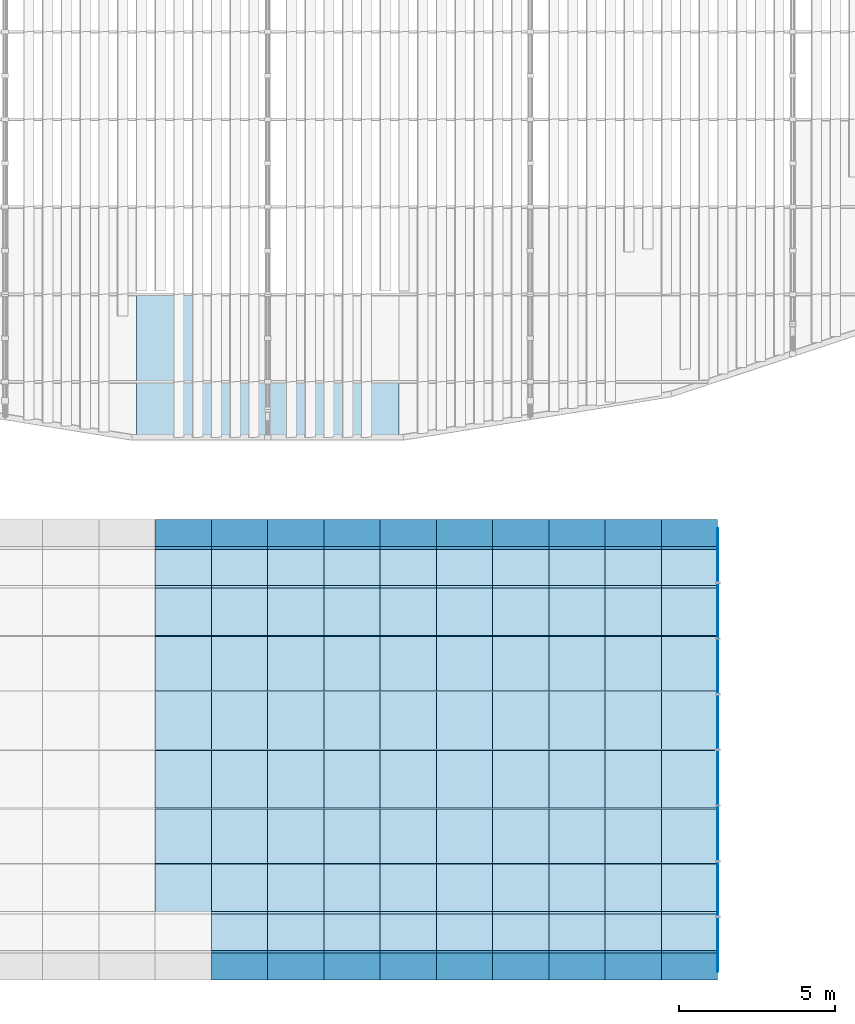
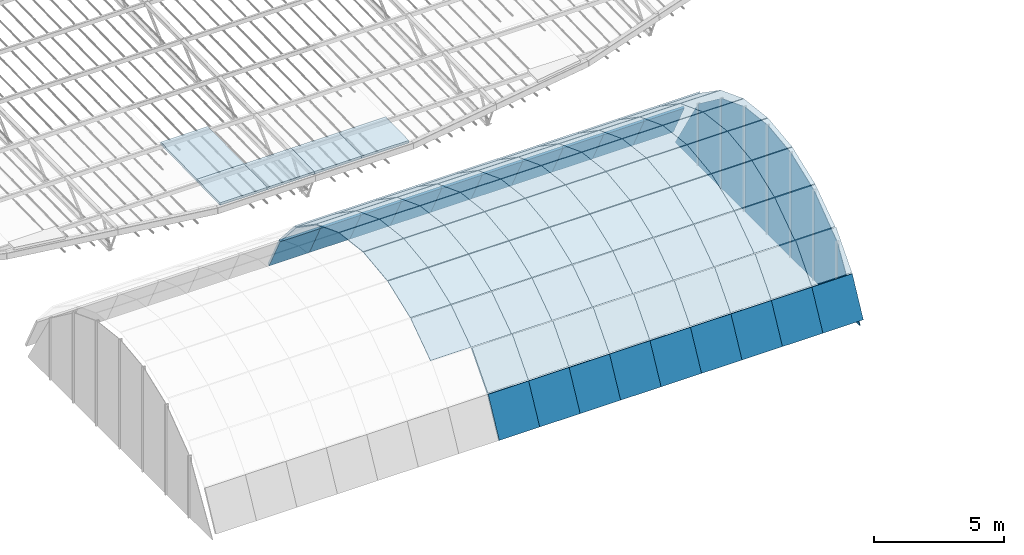
# One storey, part 70 of 129: 111 plates, 1 element without a shape of its own.
"""IFC4 building model written with IfcOpenShell, lengths in metres."""

import ifcopenshell
import ifcopenshell.guid

model = None  # the IFC model being written
_history = None  # IfcOwnerHistory: only IFC2X3 demands one
_inside = {}  # id of a spatial element -> (the spatial element, [elements in it])
_under = {}  # id of a project, library or spatial element -> (it, [spatial elements below it])
_declared = {}  # id of a project -> (the project, [libraries it declares])
_typed = {}  # id of a type object -> (the type object, [elements of that type])
_made_of = {}  # id of a material, layer set ... -> (it, [elements and type objects made of it])


def new_model(schema):
    """Start an empty IFC model of exactly this schema.

    Asked for "IFC4X3", IfcOpenShell would pick the latest addendum, in which some entities
    have other attributes; the version numbers below select the first issue.
    IFC2X3 requires an IfcOwnerHistory on every rooted entity: one is made here for all.
    """
    global model, _history
    if schema == "IFC4X3":
        model = ifcopenshell.file(schema_version=(4, 3, 0, 0))
    else:
        model = ifcopenshell.file(schema=schema)
    _inside.clear()
    _under.clear()
    _declared.clear()
    _typed.clear()
    _made_of.clear()
    _history = None
    if model.schema == "IFC2X3":
        org = make("IfcOrganization", Name="unknown")
        user = make(
            "IfcPersonAndOrganization",
            ThePerson=make("IfcPerson", FamilyName="unknown"),
            TheOrganization=org,
        )
        app = make(
            "IfcApplication",
            ApplicationDeveloper=org,
            Version="unknown",
            ApplicationFullName="unknown",
            ApplicationIdentifier="unknown",
        )
        _history = make(
            "IfcOwnerHistory",
            OwningUser=user,
            OwningApplication=app,
            ChangeAction="ADDED",
            CreationDate=0,
        )
    return model


def make(cls, **values):
    """One entity of the class cls with the attributes given. An attribute that is None is left unset."""
    return model.create_entity(
        cls, **{name: value for name, value in values.items() if value is not None}
    )


def rooted(cls, **values):
    """An entity with a GlobalId (a new one), such as an element, a storey or a relation."""
    return make(cls, GlobalId=ifcopenshell.guid.new(), OwnerHistory=_history, **values)


def si_unit(unit_type, name, prefix=None):
    """IfcSIUnit, for example si_unit("LENGTHUNIT", "METRE", prefix="MILLI")."""
    return make("IfcSIUnit", UnitType=unit_type, Prefix=prefix, Name=name)


def assignment(units):
    """IfcUnitAssignment: the units of a project."""
    return None if units is None else make("IfcUnitAssignment", Units=units)


def point(xyz):
    """IfcCartesianPoint."""
    return None if xyz is None else make("IfcCartesianPoint", Coordinates=xyz)


def direction(xyz):
    """IfcDirection."""
    return None if xyz is None else make("IfcDirection", DirectionRatios=xyz)


def frame(location, z_axis=None, x_axis=None):
    """IfcAxis2Placement3D, a coordinate frame: its origin and axes. An axis left out is left unset."""
    return make(
        "IfcAxis2Placement3D",
        Location=point(location),
        Axis=direction(z_axis),
        RefDirection=direction(x_axis),
    )


def origin():
    """The frame at (0, 0, 0) with its axes left unset."""
    return frame((0.0, 0.0, 0.0))


def place(relative_to, where):
    """IfcLocalPlacement: puts the frame where relative to a parent placement (None: the world)."""
    return make(
        "IfcLocalPlacement", PlacementRelTo=relative_to, RelativePlacement=where
    )


def context(
    kind, dimensions, precision=None, world=None, true_north=None, identifier=None
):
    """IfcGeometricRepresentationContext, for example the 3D "Model" context."""
    return make(
        "IfcGeometricRepresentationContext",
        ContextIdentifier=identifier,
        ContextType=kind,
        CoordinateSpaceDimension=dimensions,
        Precision=precision,
        WorldCoordinateSystem=world,
        TrueNorth=true_north,
    )


def subcontext(parent, identifier, kind, view, scale=None):
    """IfcGeometricRepresentationSubContext, for example "Body" below "Model"."""
    return make(
        "IfcGeometricRepresentationSubContext",
        ContextIdentifier=identifier,
        ContextType=kind,
        ParentContext=parent,
        TargetScale=scale,
        TargetView=view,
    )


def project(units=None, contexts=None):
    """IfcProject with its units and contexts."""
    return rooted(
        "IfcProject",
        Name="project",
        RepresentationContexts=contexts,
        UnitsInContext=assignment(units),
    )


def spatial(cls, under=None, at=None, **own):
    """A site, building, storey or space (cls), placed at a placement, below another one or the project."""
    s = rooted(cls, ObjectPlacement=at, **own)
    if under is not None:
        _under.setdefault(under.id(), (under, []))[1].append(s)
    return s


def polyline(points):
    """IfcPolyline through the points."""
    return make("IfcPolyline", Points=[point(p) for p in points])


def outline(outer, holes=None, kind="AREA"):
    """IfcArbitraryClosedProfileDef: a profile drawn as a closed curve; with holes, ...WithVoids."""
    if holes is None:
        return make("IfcArbitraryClosedProfileDef", ProfileType=kind, OuterCurve=outer)
    return make(
        "IfcArbitraryProfileDefWithVoids",
        ProfileType=kind,
        OuterCurve=outer,
        InnerCurves=holes,
    )


def extrude(swept, where, along, depth):
    """IfcExtrudedAreaSolid: the profile swept, set in the frame where, extruded along a direction by depth."""
    return make(
        "IfcExtrudedAreaSolid",
        SweptArea=swept,
        Position=where,
        ExtrudedDirection=direction(along),
        Depth=depth,
    )


def shape(context_of_items, identifier, shape_type, items):
    """IfcShapeRepresentation: the items that make up one representation, for example the "Body"."""
    return make(
        "IfcShapeRepresentation",
        ContextOfItems=context_of_items,
        RepresentationIdentifier=identifier,
        RepresentationType=shape_type,
        Items=items,
    )


def material(Name=None, Category=None):
    """IfcMaterial."""
    return make("IfcMaterial", Name=Name, Category=Category)


def layer(
    of_material, thickness, ventilated=None, Name=None, Category=None, Priority=None
):
    """IfcMaterialLayer: one layer of a wall or slab, of a material (None: an air gap)."""
    return make(
        "IfcMaterialLayer",
        Material=of_material,
        LayerThickness=thickness,
        IsVentilated=ventilated,
        Name=Name,
        Category=Category,
        Priority=Priority,
    )


def layer_set(layers, Name=None):
    """IfcMaterialLayerSet."""
    return make("IfcMaterialLayerSet", MaterialLayers=layers, LayerSetName=Name)


def made_of(thing, what):
    """Note that an element or type object is made of a material, layer set ...; save() writes the relation."""
    if what is not None:
        _made_of.setdefault(what.id(), (what, []))[1].append(thing)
    return thing


def type_object(cls, material=None, **own):
    """A type object (cls), such as IfcWallType, which elements share."""
    return made_of(rooted(cls, **own), material)


def element(
    cls,
    number,
    at=None,
    inside=None,
    cuts=None,
    type_object=None,
    material=None,
    context=None,
    identifier="Body",
    shape_type=None,
    held_by="IfcProductDefinitionShape",
    body=None,
    shapes=None,
    **own,
):
    """One element of the class cls, such as IfcWall. Its Tag is "e" and its number.

    at: its placement. inside: the storey or other place that contains it. cuts: it is an
    opening in that element (IfcRelVoidsElement). A single representation is given by context,
    identifier, shape_type and body (its items); several are given by shapes. held_by: the class
    of the entity that holds the representations. save() writes the other relations.
    """
    e = rooted(cls, Tag="e%d" % number, ObjectPlacement=at, **own)
    if body is not None:
        shapes = [shape(context, identifier, shape_type, body)]
    if shapes is not None:
        e.Representation = make(held_by, Representations=shapes)
    if inside is not None:
        _inside.setdefault(inside.id(), (inside, []))[1].append(e)
    if cuts is not None:
        rooted(
            "IfcRelVoidsElement", RelatingBuildingElement=cuts, RelatedOpeningElement=e
        )
    if type_object is not None:
        _typed.setdefault(type_object.id(), (type_object, []))[1].append(e)
    return made_of(e, material)


def aggregate(whole, parts):
    """IfcRelAggregates: a whole, such as a stair, and the parts it consists of."""
    return rooted("IfcRelAggregates", RelatingObject=whole, RelatedObjects=parts)


def save(model, path):
    """Write the relations noted so far, then the file.

    IfcRelAggregates (storeys below a building ...), IfcRelContainedInSpatialStructure (elements
    in a storey), IfcRelDefinesByType, IfcRelAssociatesMaterial and IfcRelDeclares: one each for
    every whole, place, type object, material and project.
    """
    for whole, parts in _under.values():
        aggregate(whole, parts)
    for where, things in _inside.values():
        rooted(
            "IfcRelContainedInSpatialStructure",
            RelatedElements=things,
            RelatingStructure=where,
        )
    for kind, things in _typed.values():
        rooted("IfcRelDefinesByType", RelatedObjects=things, RelatingType=kind)
    for what, things in _made_of.values():
        rooted("IfcRelAssociatesMaterial", RelatedObjects=things, RelatingMaterial=what)
    for by, libraries in _declared.values():
        rooted("IfcRelDeclares", RelatingContext=by, RelatedDefinitions=libraries)
    model.write(path)


model = new_model("IFC4")

# Units and contexts
model_context = context("Model", 3, precision=1e-05, world=origin(), true_north=direction((0.0, 1.0)))
body_context = subcontext(model_context, "Body", "Model", "MODEL_VIEW")
ifc_project = project(units=[si_unit("LENGTHUNIT", "METRE"), si_unit("AREAUNIT", "SQUARE_METRE"), si_unit("VOLUMEUNIT", "CUBIC_METRE"), si_unit("PLANEANGLEUNIT", "RADIAN"), si_unit("MASSUNIT", "GRAM", prefix="KILO")], contexts=[model_context])

# Site, building, storey
site_placement = place(None, origin())
site = spatial("IfcSite", under=ifc_project, at=site_placement, CompositionType="ELEMENT")
building_placement = place(site_placement, origin())
building = spatial("IfcBuilding", under=site, at=building_placement, Name="Ardhachandra Cancer Care Centre", CompositionType="ELEMENT")
storey_placement = place(building_placement, frame((0.0, 0.0, 4.5)))
storey = spatial("IfcBuildingStorey", under=building, at=storey_placement, Name="L01", CompositionType="ELEMENT", Elevation=4.5)

# Plates
ifc_material_1 = material(Name="Glass, laminated low-e insulating unit", Category="glass")
ifc_layer_1 = layer(ifc_material_1, 0.1201171875)
ifc_layer_set_1 = layer_set([ifc_layer_1], Name="Glass, laminated low-e insulating unit")
plate_type_1 = type_object("IfcPlateType", Name="Court glass cassette 120", PredefinedType="SHEET", material=ifc_layer_set_1)
plate_1_placement = place(storey_placement, frame((73.800048828125, 26.175048828125, 2.50341796875), z_axis=(0.0, -0.02005002746, 0.999798977995), x_axis=(0.0, 0.999798977995, 0.02005002746)))
element("IfcPlate", 1, at=plate_1_placement, inside=storey, type_object=plate_type_1, Name="Court glass cassette 4-10-3", PredefinedType="SHEET", context=body_context, shape_type="SweptSolid", body=[
    extrude(outline(polyline([(0.0, -2.099853515625), (2.800537109375, -2.099853515625), (2.800537109375, 0.0), (0.0, 0.0), (0.0, -2.099853515625)])), frame((0.0, 0.0, -0.1201171875)), (0.0, 0.0, 1.0), 0.1201171875),
])
plate_2_placement = place(storey_placement, frame((73.800048828125, 26.175048828125, 2.50341796875), z_axis=(0.0, -0.019902701625, 0.999801921616), x_axis=(1.0, 0.0, 0.0)))
element("IfcPlate", 2, at=plate_2_placement, inside=storey, type_object=plate_type_1, Name="Court glass cassette 4-11-3", PredefinedType="SHEET", context=body_context, shape_type="SweptSolid", body=[
    extrude(outline(polyline([(0.0, -1.778564453125), (2.099853515625, -1.778564453125), (2.099853515625, 0.0), (0.0, 0.0), (0.0, -1.778564453125)])), frame((0.0, 0.0, -0.1201171875)), (0.0, 0.0, 1.0), 0.1201171875),
])
for number, where, z_axis, x_axis, name in (
    (3, (75.89990234375, 26.175048828125, 2.50341796875), (0.0, -0.019902701625, 0.999801921616), (1.0, 0.0, 0.0), "Court glass cassette 4-11-4"),
    (4, (78.0, 26.175048828125, 2.50341796875), (0.0, -0.019902701625, 0.999801921616), (1.0, 0.0, 0.0), "Court glass cassette 5-11-1"),
):
    element("IfcPlate", number, at=place(storey_placement, frame(where, z_axis=z_axis, x_axis=x_axis)), inside=storey, type_object=plate_type_1, Name=name, PredefinedType="SHEET", context=body_context, shape_type="SweptSolid", body=[
        extrude(outline(polyline([(0.0, -1.778564453125), (2.10009765625, -1.778564453125), (2.10009765625, 0.0), (0.0, 0.0), (0.0, -1.778564453125)])), frame((0.0, 0.0, -0.1201171875)), (0.0, 0.0, 1.0), 0.1201171875),
    ])
plate_3_placement = place(storey_placement, frame((80.10009765625, 26.175048828125, 2.50341796875), z_axis=(0.0, -0.019902701625, 0.999801921616), x_axis=(1.0, 0.0, 0.0)))
element("IfcPlate", 5, at=plate_3_placement, inside=storey, type_object=plate_type_1, Name="Court glass cassette 5-11-2", PredefinedType="SHEET", context=body_context, shape_type="SweptSolid", body=[
    extrude(outline(polyline([(0.0, -1.778564453125), (2.099853515625, -1.778564453125), (2.099853515625, 0.0), (0.0, 0.0), (0.0, -1.778564453125)])), frame((0.0, 0.0, -0.1201171875)), (0.0, 0.0, 1.0), 0.1201171875),
])

# Curtain wall, plates
ifc_material_2 = material(Name="Aluminium extrusion", Category="aluminium")
ifc_layer_2 = layer(ifc_material_2, 0.14990234375)
ifc_layer_set_2 = layer_set([ifc_layer_2], Name="Aluminium extrusion")
curtain_wall_type = type_object("IfcCurtainWallType", Name="Curtain wall run", PredefinedType="NOTDEFINED", material=ifc_layer_set_2)
curtain_wall_placement = place(storey_placement, origin())
curtain_wall = element("IfcCurtainWall", 6, at=curtain_wall_placement, inside=storey, type_object=curtain_wall_type, Name="Gable glazing e", PredefinedType="NOTDEFINED")
ifc_material_3 = material(Name="Low-iron double-glazed unit")
ifc_layer_3 = layer(ifc_material_3, 0.028076171875)
ifc_layer_set_3 = layer_set([ifc_layer_3], Name="Low-iron double-glazed unit")
plate_type_2 = type_object("IfcPlateType", Name="Curtain wall glazing 28", PredefinedType="CURTAIN_PANEL", material=ifc_layer_set_3)
plate_4_placement = place(storey_placement, frame((92.39990234375, 7.302490234375, 0.550048828125), z_axis=(-1.0, 0.0, 0.0), x_axis=(0.0, 1.0, 0.0)))
plate_4 = element("IfcPlate", 7, at=plate_4_placement, type_object=plate_type_2, Name="Gable glazing e 1", PredefinedType="CURTAIN_PANEL", context=body_context, shape_type="SweptSolid", body=[
    extrude(outline(polyline([(0.0, -0.049560546875), (1.721923828125, -2.855712890625), (1.721923828125, 0.0), (0.0, 0.0), (0.0, -0.049560546875)])), frame((0.0, 0.0, -0.01416015625)), (0.0, 0.0, 1.0), 0.028076171875),
])
plate_5_placement = place(storey_placement, frame((92.39990234375, 9.08447265625, 0.550048828125), z_axis=(-1.0, 0.0, 0.0), x_axis=(0.0, 1.0, 0.0)))
plate_5 = element("IfcPlate", 8, at=plate_5_placement, type_object=plate_type_2, Name="Gable glazing e 2", PredefinedType="CURTAIN_PANEL", context=body_context, shape_type="SweptSolid", body=[
    extrude(outline(polyline([(0.0, -2.916748046875), (1.721923828125, -4.208740234375), (1.721923828125, 0.0), (0.0, 0.0), (0.0, -2.916748046875)])), frame((0.0, 0.0, -0.01416015625)), (0.0, 0.0, 1.0), 0.028076171875),
])
plate_6_placement = place(storey_placement, frame((92.39990234375, 10.8662109375, 0.550048828125), z_axis=(-1.0, 0.0, 0.0), x_axis=(0.0, 1.0, 0.0)))
plate_6 = element("IfcPlate", 9, at=plate_6_placement, type_object=plate_type_2, Name="Gable glazing e 3", PredefinedType="CURTAIN_PANEL", context=body_context, shape_type="SweptSolid", body=[
    extrude(outline(polyline([(0.0, -4.2412109375), (1.721923828125, -4.903564453125), (1.721923828125, 0.0), (0.0, 0.0), (0.0, -4.2412109375)])), frame((0.0, 0.0, -0.01416015625)), (0.0, 0.0, 1.0), 0.028076171875),
])
plate_7_placement = place(storey_placement, frame((92.39990234375, 12.648193359375, 0.550048828125), z_axis=(-1.0, 0.0, 0.0), x_axis=(0.0, 1.0, 0.0)))
plate_7 = element("IfcPlate", 10, at=plate_7_placement, type_object=plate_type_2, Name="Gable glazing e 4", PredefinedType="CURTAIN_PANEL", context=body_context, shape_type="SweptSolid", body=[
    extrude(outline(polyline([(0.0, -4.918212890625), (1.721923828125, -5.125732421875), (1.721923828125, 0.0), (0.0, 0.0), (0.0, -4.918212890625)])), frame((0.0, 0.0, -0.01416015625)), (0.0, 0.0, 1.0), 0.028076171875),
])
plate_8_placement = place(storey_placement, frame((92.39990234375, 14.429931640625, 0.550048828125), z_axis=(-1.0, 0.0, 0.0), x_axis=(0.0, 1.0, 0.0)))
plate_8 = element("IfcPlate", 11, at=plate_8_placement, type_object=plate_type_2, Name="Gable glazing e 5", PredefinedType="CURTAIN_PANEL", context=body_context, shape_type="SweptSolid", body=[
    extrude(outline(polyline([(0.0, -5.125732421875), (1.721923828125, -4.918212890625), (1.721923828125, 0.0), (0.0, 0.0), (0.0, -5.125732421875)])), frame((0.0, 0.0, -0.01416015625)), (0.0, 0.0, 1.0), 0.028076171875),
])
plate_9_placement = place(storey_placement, frame((92.39990234375, 16.2119140625, 0.550048828125), z_axis=(-1.0, 0.0, 0.0), x_axis=(0.0, 1.0, 0.0)))
plate_9 = element("IfcPlate", 12, at=plate_9_placement, type_object=plate_type_2, Name="Gable glazing e 6", PredefinedType="CURTAIN_PANEL", context=body_context, shape_type="SweptSolid", body=[
    extrude(outline(polyline([(0.0, -4.903564453125), (1.7216796875, -4.2412109375), (1.7216796875, 0.0), (0.0, 0.0), (0.0, -4.903564453125)])), frame((0.0, 0.0, -0.01416015625)), (0.0, 0.0, 1.0), 0.028076171875),
])
plate_10_placement = place(storey_placement, frame((92.39990234375, 17.99365234375, 0.550048828125), z_axis=(-1.0, 0.0, 0.0), x_axis=(0.0, 1.0, 0.0)))
plate_10 = element("IfcPlate", 13, at=plate_10_placement, type_object=plate_type_2, Name="Gable glazing e 7", PredefinedType="CURTAIN_PANEL", context=body_context, shape_type="SweptSolid", body=[
    extrude(outline(polyline([(0.0, -4.208740234375), (1.721923828125, -2.916748046875), (1.721923828125, 0.0), (0.0, 0.0), (0.0, -4.208740234375)])), frame((0.0, 0.0, -0.01416015625)), (0.0, 0.0, 1.0), 0.028076171875),
])
plate_11_placement = place(storey_placement, frame((92.39990234375, 19.775634765625, 0.550048828125), z_axis=(-1.0, 0.0, 0.0), x_axis=(0.0, 1.0, 0.0)))
plate_11 = element("IfcPlate", 14, at=plate_11_placement, type_object=plate_type_2, Name="Gable glazing e 8", PredefinedType="CURTAIN_PANEL", context=body_context, shape_type="SweptSolid", body=[
    extrude(outline(polyline([(0.0, -2.855712890625), (1.7216796875, -0.049560546875), (1.7216796875, 0.0), (0.0, 0.0), (0.0, -2.855712890625)])), frame((0.0, 0.0, -0.01416015625)), (0.0, 0.0, 1.0), 0.028076171875),
])
aggregate(curtain_wall, [plate_4, plate_5, plate_6, plate_7, plate_8, plate_9, plate_10, plate_11])

# Plates
ifc_material_4 = material(Name="Laminated heat-strengthened double-glazed unit")
ifc_layer_4 = layer(ifc_material_4, 0.035888671875)
ifc_layer_set_4 = layer_set([ifc_layer_4], Name="Laminated heat-strengthened double-glazed unit")
plate_type_3 = type_object("IfcPlateType", Name="Gridshell glazing 36", PredefinedType="SHEET", material=ifc_layer_set_4)
for number, where, z_axis, x_axis, name in (
    (15, (74.39990234375, 9.237060546875, 4.019287109375), (0.0, -0.570403184927, 0.821364843797), (1.0, 0.0, 0.0), "Glazed cell P 7.3"),
    (16, (74.39990234375, 10.78369140625, 5.09033203125), (0.0, -0.356164432165, 0.934423296617), (1.0, 0.0, 0.0), "Glazed cell P 7.4"),
    (17, (74.39990234375, 12.54248046875, 5.758056640625), (0.0, -0.121208850648, 0.992627026896), (1.0, 0.0, 0.0), "Glazed cell P 7.5"),
    (18, (74.39990234375, 14.41015625, 5.983642578125), (0.0, 0.121208850648, 0.992627026896), (1.0, 0.0, 0.0), "Glazed cell P 7.6"),
    (19, (74.39990234375, 16.27734375, 5.753173828125), (0.0, 0.356164432165, 0.934423296617), (1.0, 0.0, 0.0), "Glazed cell P 7.7"),
    (20, (74.39990234375, 18.034423828125, 5.080810546875), (0.0, 0.570403184927, 0.821364843797), (1.0, 0.0, 0.0), "Glazed cell P 7.8"),
    (21, (76.199951171875, 9.237060546875, 4.019287109375), (0.0, -0.570403184927, 0.821364843797), (1.0, 0.0, 0.0), "Glazed cell P 8.3"),
    (22, (76.199951171875, 10.78369140625, 5.09033203125), (0.0, -0.356164432165, 0.934423296617), (1.0, 0.0, 0.0), "Glazed cell P 8.4"),
    (23, (76.199951171875, 12.54248046875, 5.758056640625), (0.0, -0.121208850648, 0.992627026896), (1.0, 0.0, 0.0), "Glazed cell P 8.5"),
    (24, (76.199951171875, 14.41015625, 5.983642578125), (0.0, 0.121208850648, 0.992627026896), (1.0, 0.0, 0.0), "Glazed cell P 8.6"),
    (25, (76.199951171875, 16.27734375, 5.753173828125), (0.0, 0.356164432165, 0.934423296617), (1.0, 0.0, 0.0), "Glazed cell P 8.7"),
    (26, (76.199951171875, 18.034423828125, 5.080810546875), (0.0, 0.570403184927, 0.821364843797), (1.0, 0.0, 0.0), "Glazed cell P 8.8"),
    (27, (78.0, 9.237060546875, 4.019287109375), (0.0, -0.570403184927, 0.821364843797), (1.0, 0.0, 0.0), "Glazed cell P 9.3"),
    (28, (78.0, 10.78369140625, 5.09033203125), (0.0, -0.356164432165, 0.934423296617), (1.0, 0.0, 0.0), "Glazed cell P 9.4"),
    (29, (78.0, 12.54248046875, 5.758056640625), (0.0, -0.121208850648, 0.992627026896), (1.0, 0.0, 0.0), "Glazed cell P 9.5"),
    (30, (78.0, 14.41015625, 5.983642578125), (0.0, 0.121208850648, 0.992627026896), (1.0, 0.0, 0.0), "Glazed cell P 9.6"),
    (31, (78.0, 16.27734375, 5.753173828125), (0.0, 0.356164432165, 0.934423296617), (1.0, 0.0, 0.0), "Glazed cell P 9.7"),
    (32, (78.0, 18.034423828125, 5.080810546875), (0.0, 0.570403184927, 0.821364843797), (1.0, 0.0, 0.0), "Glazed cell P 9.8"),
    (33, (79.800048828125, 9.237060546875, 4.019287109375), (0.0, -0.570403184927, 0.821364843797), (1.0, 0.0, 0.0), "Glazed cell P 10.3"),
    (34, (79.800048828125, 10.78369140625, 5.09033203125), (0.0, -0.356164432165, 0.934423296617), (1.0, 0.0, 0.0), "Glazed cell P 10.4"),
    (35, (79.800048828125, 12.54248046875, 5.758056640625), (0.0, -0.121208850648, 0.992627026896), (1.0, 0.0, 0.0), "Glazed cell P 10.5"),
    (36, (79.800048828125, 14.41015625, 5.983642578125), (0.0, 0.121208850648, 0.992627026896), (1.0, 0.0, 0.0), "Glazed cell P 10.6"),
    (37, (79.800048828125, 16.27734375, 5.753173828125), (0.0, 0.356164432165, 0.934423296617), (1.0, 0.0, 0.0), "Glazed cell P 10.7"),
    (38, (79.800048828125, 18.034423828125, 5.080810546875), (0.0, 0.570403184927, 0.821364843797), (1.0, 0.0, 0.0), "Glazed cell P 10.8"),
):
    element("IfcPlate", number, at=place(storey_placement, frame(where, z_axis=z_axis, x_axis=x_axis)), inside=storey, type_object=plate_type_3, Name=name, PredefinedType="SHEET", context=body_context, shape_type="SweptSolid", body=[
        extrude(outline(polyline([(0.0, 0.0), (1.800048828125, 0.0), (1.800048828125, 1.861083984375), (0.0, 1.861083984375), (0.0, 0.0)])), origin(), (0.0, 0.0, 1.0), 0.035888671875),
    ])
for number, where, z_axis, x_axis, name in (
    (39, (81.60009765625, 9.237060546875, 4.019287109375), (0.0, -0.570403184927, 0.821364843797), (1.0, 0.0, 0.0), "Glazed cell P 11.3"),
    (40, (81.60009765625, 10.78369140625, 5.09033203125), (0.0, -0.356164432165, 0.934423296617), (1.0, 0.0, 0.0), "Glazed cell P 11.4"),
    (41, (81.60009765625, 12.54248046875, 5.758056640625), (0.0, -0.121208850648, 0.992627026896), (1.0, 0.0, 0.0), "Glazed cell P 11.5"),
    (42, (81.60009765625, 14.41015625, 5.983642578125), (0.0, 0.121208850648, 0.992627026896), (1.0, 0.0, 0.0), "Glazed cell P 11.6"),
    (43, (81.60009765625, 16.27734375, 5.753173828125), (0.0, 0.356164432165, 0.934423296617), (1.0, 0.0, 0.0), "Glazed cell P 11.7"),
    (44, (81.60009765625, 18.034423828125, 5.080810546875), (0.0, 0.570403184927, 0.821364843797), (1.0, 0.0, 0.0), "Glazed cell P 11.8"),
):
    element("IfcPlate", number, at=place(storey_placement, frame(where, z_axis=z_axis, x_axis=x_axis)), inside=storey, type_object=plate_type_3, Name=name, PredefinedType="SHEET", context=body_context, shape_type="SweptSolid", body=[
        extrude(outline(polyline([(0.0, 0.0), (1.7998046875, 0.0), (1.7998046875, 1.861083984375), (0.0, 1.861083984375), (0.0, 0.0)])), origin(), (0.0, 0.0, 1.0), 0.035888671875),
    ])
for number, where, z_axis, x_axis, name in (
    (45, (83.39990234375, 9.237060546875, 4.019287109375), (0.0, -0.570403184927, 0.821364843797), (1.0, 0.0, 0.0), "Glazed cell P 12.3"),
    (46, (83.39990234375, 10.78369140625, 5.09033203125), (0.0, -0.356164432165, 0.934423296617), (1.0, 0.0, 0.0), "Glazed cell P 12.4"),
    (47, (83.39990234375, 12.54248046875, 5.758056640625), (0.0, -0.121208850648, 0.992627026896), (1.0, 0.0, 0.0), "Glazed cell P 12.5"),
    (48, (83.39990234375, 14.41015625, 5.983642578125), (0.0, 0.121208850648, 0.992627026896), (1.0, 0.0, 0.0), "Glazed cell P 12.6"),
    (49, (83.39990234375, 16.27734375, 5.753173828125), (0.0, 0.356164432165, 0.934423296617), (1.0, 0.0, 0.0), "Glazed cell P 12.7"),
    (50, (83.39990234375, 18.034423828125, 5.080810546875), (0.0, 0.570403184927, 0.821364843797), (1.0, 0.0, 0.0), "Glazed cell P 12.8"),
    (51, (85.199951171875, 9.237060546875, 4.019287109375), (0.0, -0.570403184927, 0.821364843797), (1.0, 0.0, 0.0), "Glazed cell P 13.3"),
    (52, (85.199951171875, 10.78369140625, 5.09033203125), (0.0, -0.356164432165, 0.934423296617), (1.0, 0.0, 0.0), "Glazed cell P 13.4"),
    (53, (85.199951171875, 12.54248046875, 5.758056640625), (0.0, -0.121208850648, 0.992627026896), (1.0, 0.0, 0.0), "Glazed cell P 13.5"),
    (54, (85.199951171875, 14.41015625, 5.983642578125), (0.0, 0.121208850648, 0.992627026896), (1.0, 0.0, 0.0), "Glazed cell P 13.6"),
    (55, (85.199951171875, 16.27734375, 5.753173828125), (0.0, 0.356164432165, 0.934423296617), (1.0, 0.0, 0.0), "Glazed cell P 13.7"),
    (56, (85.199951171875, 18.034423828125, 5.080810546875), (0.0, 0.570403184927, 0.821364843797), (1.0, 0.0, 0.0), "Glazed cell P 13.8"),
    (57, (87.0, 9.237060546875, 4.019287109375), (0.0, -0.570403184927, 0.821364843797), (1.0, 0.0, 0.0), "Glazed cell P 14.3"),
    (58, (87.0, 10.78369140625, 5.09033203125), (0.0, -0.356164432165, 0.934423296617), (1.0, 0.0, 0.0), "Glazed cell P 14.4"),
    (59, (87.0, 12.54248046875, 5.758056640625), (0.0, -0.121208850648, 0.992627026896), (1.0, 0.0, 0.0), "Glazed cell P 14.5"),
    (60, (87.0, 14.41015625, 5.983642578125), (0.0, 0.121208850648, 0.992627026896), (1.0, 0.0, 0.0), "Glazed cell P 14.6"),
    (61, (87.0, 16.27734375, 5.753173828125), (0.0, 0.356164432165, 0.934423296617), (1.0, 0.0, 0.0), "Glazed cell P 14.7"),
    (62, (87.0, 18.034423828125, 5.080810546875), (0.0, 0.570403184927, 0.821364843797), (1.0, 0.0, 0.0), "Glazed cell P 14.8"),
    (63, (88.800048828125, 9.237060546875, 4.019287109375), (0.0, -0.570403184927, 0.821364843797), (1.0, 0.0, 0.0), "Glazed cell P 15.3"),
    (64, (88.800048828125, 10.78369140625, 5.09033203125), (0.0, -0.356164432165, 0.934423296617), (1.0, 0.0, 0.0), "Glazed cell P 15.4"),
    (65, (88.800048828125, 12.54248046875, 5.758056640625), (0.0, -0.121208850648, 0.992627026896), (1.0, 0.0, 0.0), "Glazed cell P 15.5"),
    (66, (88.800048828125, 14.41015625, 5.983642578125), (0.0, 0.121208850648, 0.992627026896), (1.0, 0.0, 0.0), "Glazed cell P 15.6"),
    (67, (88.800048828125, 16.27734375, 5.753173828125), (0.0, 0.356164432165, 0.934423296617), (1.0, 0.0, 0.0), "Glazed cell P 15.7"),
    (68, (88.800048828125, 18.034423828125, 5.080810546875), (0.0, 0.570403184927, 0.821364843797), (1.0, 0.0, 0.0), "Glazed cell P 15.8"),
):
    element("IfcPlate", number, at=place(storey_placement, frame(where, z_axis=z_axis, x_axis=x_axis)), inside=storey, type_object=plate_type_3, Name=name, PredefinedType="SHEET", context=body_context, shape_type="SweptSolid", body=[
        extrude(outline(polyline([(0.0, 0.0), (1.800048828125, 0.0), (1.800048828125, 1.861083984375), (0.0, 1.861083984375), (0.0, 0.0)])), origin(), (0.0, 0.0, 1.0), 0.035888671875),
    ])
for number, where, z_axis, x_axis, name in (
    (69, (90.60009765625, 9.237060546875, 4.019287109375), (0.0, -0.570403184927, 0.821364843797), (1.0, 0.0, 0.0), "Glazed cell P 16.3"),
    (70, (90.60009765625, 10.78369140625, 5.09033203125), (0.0, -0.356164432165, 0.934423296617), (1.0, 0.0, 0.0), "Glazed cell P 16.4"),
    (71, (90.60009765625, 12.54248046875, 5.758056640625), (0.0, -0.121208850648, 0.992627026896), (1.0, 0.0, 0.0), "Glazed cell P 16.5"),
    (72, (90.60009765625, 14.41015625, 5.983642578125), (0.0, 0.121208850648, 0.992627026896), (1.0, 0.0, 0.0), "Glazed cell P 16.6"),
    (73, (90.60009765625, 16.27734375, 5.753173828125), (0.0, 0.356164432165, 0.934423296617), (1.0, 0.0, 0.0), "Glazed cell P 16.7"),
    (74, (90.60009765625, 18.034423828125, 5.080810546875), (0.0, 0.570403184927, 0.821364843797), (1.0, 0.0, 0.0), "Glazed cell P 16.8"),
):
    element("IfcPlate", number, at=place(storey_placement, frame(where, z_axis=z_axis, x_axis=x_axis)), inside=storey, type_object=plate_type_3, Name=name, PredefinedType="SHEET", context=body_context, shape_type="SweptSolid", body=[
        extrude(outline(polyline([(0.0, 0.0), (1.7998046875, 0.0), (1.7998046875, 1.861083984375), (0.0, 1.861083984375), (0.0, 0.0)])), origin(), (0.0, 0.0, 1.0), 0.035888671875),
    ])
ifc_material_5 = material(Name="Insulated metal roof panel (galvalume skins, PIR core)")
ifc_layer_5 = layer(ifc_material_5, 0.10009765625)
ifc_layer_set_5 = layer_set([ifc_layer_5], Name="Insulated metal roof panel (galvalume skins, PIR core)")
plate_type_4 = type_object("IfcPlateType", Name="Gridshell insulated panel 100", PredefinedType="SHEET", material=ifc_layer_set_5)
for number, where, z_axis, x_axis, name in (
    (75, (74.39990234375, 19.578125, 4.005859375), (0.0, 0.751160956112, 0.66011909381), (1.0, 0.0, 0.0), "Roof cell P 7.9"),
    (76, (74.39990234375, 20.818359375, 2.591064453125), (0.0, 0.8878259961, 0.460179313582), (1.0, 0.0, 0.0), "Roof cell P 7.10"),
    (77, (76.199951171875, 7.125244140625, 0.938720703125), (0.0, -0.8878259961, 0.460179313582), (1.0, 0.0, 0.0), "Roof cell P 8.1"),
):
    element("IfcPlate", number, at=place(storey_placement, frame(where, z_axis=z_axis, x_axis=x_axis)), inside=storey, type_object=plate_type_4, Name=name, PredefinedType="SHEET", context=body_context, shape_type="SweptSolid", body=[
        extrude(outline(polyline([(0.0, 0.0), (1.800048828125, 0.0), (1.800048828125, 1.861083984375), (0.0, 1.861083984375), (0.0, 0.0)])), origin(), (0.0, 0.0, 1.0), 0.10009765625),
    ])
plate_12_placement = place(storey_placement, frame((76.199951171875, 7.9931640625, 2.60791015625), z_axis=(0.0, -0.751095909647, 0.660193103956), x_axis=(1.0, 0.0, 0.0)))
element("IfcPlate", 78, at=plate_12_placement, inside=storey, type_object=plate_type_4, Name="Roof cell P 8.2", PredefinedType="SHEET", context=body_context, shape_type="SweptSolid", body=[
    extrude(outline(polyline([(0.0, 0.0), (1.800048828125, 0.0), (1.800048828125, 1.861328125), (0.0, 1.861328125), (0.0, 0.0)])), origin(), (0.0, 0.0, 1.0), 0.10009765625),
])
for number, where, z_axis, x_axis, name in (
    (79, (76.199951171875, 19.578125, 4.005859375), (0.0, 0.751160956112, 0.66011909381), (1.0, 0.0, 0.0), "Roof cell P 8.9"),
    (80, (76.199951171875, 20.818359375, 2.591064453125), (0.0, 0.8878259961, 0.460179313582), (1.0, 0.0, 0.0), "Roof cell P 8.10"),
    (81, (78.0, 7.125244140625, 0.938720703125), (0.0, -0.8878259961, 0.460179313582), (1.0, 0.0, 0.0), "Roof cell P 9.1"),
):
    element("IfcPlate", number, at=place(storey_placement, frame(where, z_axis=z_axis, x_axis=x_axis)), inside=storey, type_object=plate_type_4, Name=name, PredefinedType="SHEET", context=body_context, shape_type="SweptSolid", body=[
        extrude(outline(polyline([(0.0, 0.0), (1.800048828125, 0.0), (1.800048828125, 1.861083984375), (0.0, 1.861083984375), (0.0, 0.0)])), origin(), (0.0, 0.0, 1.0), 0.10009765625),
    ])
plate_13_placement = place(storey_placement, frame((78.0, 7.9931640625, 2.60791015625), z_axis=(0.0, -0.751095909647, 0.660193103956), x_axis=(1.0, 0.0, 0.0)))
element("IfcPlate", 82, at=plate_13_placement, inside=storey, type_object=plate_type_4, Name="Roof cell P 9.2", PredefinedType="SHEET", context=body_context, shape_type="SweptSolid", body=[
    extrude(outline(polyline([(0.0, 0.0), (1.800048828125, 0.0), (1.800048828125, 1.861328125), (0.0, 1.861328125), (0.0, 0.0)])), origin(), (0.0, 0.0, 1.0), 0.10009765625),
])
for number, where, z_axis, x_axis, name in (
    (83, (78.0, 19.578125, 4.005859375), (0.0, 0.751160956112, 0.66011909381), (1.0, 0.0, 0.0), "Roof cell P 9.9"),
    (84, (78.0, 20.818359375, 2.591064453125), (0.0, 0.8878259961, 0.460179313582), (1.0, 0.0, 0.0), "Roof cell P 9.10"),
    (85, (79.800048828125, 7.125244140625, 0.938720703125), (0.0, -0.8878259961, 0.460179313582), (1.0, 0.0, 0.0), "Roof cell P 10.1"),
):
    element("IfcPlate", number, at=place(storey_placement, frame(where, z_axis=z_axis, x_axis=x_axis)), inside=storey, type_object=plate_type_4, Name=name, PredefinedType="SHEET", context=body_context, shape_type="SweptSolid", body=[
        extrude(outline(polyline([(0.0, 0.0), (1.800048828125, 0.0), (1.800048828125, 1.861083984375), (0.0, 1.861083984375), (0.0, 0.0)])), origin(), (0.0, 0.0, 1.0), 0.10009765625),
    ])
plate_14_placement = place(storey_placement, frame((79.800048828125, 7.9931640625, 2.60791015625), z_axis=(0.0, -0.751095909647, 0.660193103956), x_axis=(1.0, 0.0, 0.0)))
element("IfcPlate", 86, at=plate_14_placement, inside=storey, type_object=plate_type_4, Name="Roof cell P 10.2", PredefinedType="SHEET", context=body_context, shape_type="SweptSolid", body=[
    extrude(outline(polyline([(0.0, 0.0), (1.800048828125, 0.0), (1.800048828125, 1.861328125), (0.0, 1.861328125), (0.0, 0.0)])), origin(), (0.0, 0.0, 1.0), 0.10009765625),
])
for number, where, z_axis, x_axis, name in (
    (87, (79.800048828125, 19.578125, 4.005859375), (0.0, 0.751160956112, 0.66011909381), (1.0, 0.0, 0.0), "Roof cell P 10.9"),
    (88, (79.800048828125, 20.818359375, 2.591064453125), (0.0, 0.8878259961, 0.460179313582), (1.0, 0.0, 0.0), "Roof cell P 10.10"),
):
    element("IfcPlate", number, at=place(storey_placement, frame(where, z_axis=z_axis, x_axis=x_axis)), inside=storey, type_object=plate_type_4, Name=name, PredefinedType="SHEET", context=body_context, shape_type="SweptSolid", body=[
        extrude(outline(polyline([(0.0, 0.0), (1.800048828125, 0.0), (1.800048828125, 1.861083984375), (0.0, 1.861083984375), (0.0, 0.0)])), origin(), (0.0, 0.0, 1.0), 0.10009765625),
    ])
plate_15_placement = place(storey_placement, frame((81.60009765625, 7.125244140625, 0.938720703125), z_axis=(0.0, -0.8878259961, 0.460179313582), x_axis=(1.0, 0.0, 0.0)))
element("IfcPlate", 89, at=plate_15_placement, inside=storey, type_object=plate_type_4, Name="Roof cell P 11.1", PredefinedType="SHEET", context=body_context, shape_type="SweptSolid", body=[
    extrude(outline(polyline([(0.0, 0.0), (1.7998046875, 0.0), (1.7998046875, 1.861083984375), (0.0, 1.861083984375), (0.0, 0.0)])), origin(), (0.0, 0.0, 1.0), 0.10009765625),
])
plate_16_placement = place(storey_placement, frame((81.60009765625, 7.9931640625, 2.60791015625), z_axis=(0.0, -0.751095909647, 0.660193103956), x_axis=(1.0, 0.0, 0.0)))
element("IfcPlate", 90, at=plate_16_placement, inside=storey, type_object=plate_type_4, Name="Roof cell P 11.2", PredefinedType="SHEET", context=body_context, shape_type="SweptSolid", body=[
    extrude(outline(polyline([(0.0, 0.0), (1.7998046875, 0.0), (1.7998046875, 1.861328125), (0.0, 1.861328125), (0.0, 0.0)])), origin(), (0.0, 0.0, 1.0), 0.10009765625),
])
for number, where, z_axis, x_axis, name in (
    (91, (81.60009765625, 19.578125, 4.005859375), (0.0, 0.751160956112, 0.66011909381), (1.0, 0.0, 0.0), "Roof cell P 11.9"),
    (92, (81.60009765625, 20.818359375, 2.591064453125), (0.0, 0.8878259961, 0.460179313582), (1.0, 0.0, 0.0), "Roof cell P 11.10"),
):
    element("IfcPlate", number, at=place(storey_placement, frame(where, z_axis=z_axis, x_axis=x_axis)), inside=storey, type_object=plate_type_4, Name=name, PredefinedType="SHEET", context=body_context, shape_type="SweptSolid", body=[
        extrude(outline(polyline([(0.0, 0.0), (1.7998046875, 0.0), (1.7998046875, 1.861083984375), (0.0, 1.861083984375), (0.0, 0.0)])), origin(), (0.0, 0.0, 1.0), 0.10009765625),
    ])
plate_17_placement = place(storey_placement, frame((83.39990234375, 7.125244140625, 0.938720703125), z_axis=(0.0, -0.8878259961, 0.460179313582), x_axis=(1.0, 0.0, 0.0)))
element("IfcPlate", 93, at=plate_17_placement, inside=storey, type_object=plate_type_4, Name="Roof cell P 12.1", PredefinedType="SHEET", context=body_context, shape_type="SweptSolid", body=[
    extrude(outline(polyline([(0.0, 0.0), (1.800048828125, 0.0), (1.800048828125, 1.861083984375), (0.0, 1.861083984375), (0.0, 0.0)])), origin(), (0.0, 0.0, 1.0), 0.10009765625),
])
plate_18_placement = place(storey_placement, frame((83.39990234375, 7.9931640625, 2.60791015625), z_axis=(0.0, -0.751095909647, 0.660193103956), x_axis=(1.0, 0.0, 0.0)))
element("IfcPlate", 94, at=plate_18_placement, inside=storey, type_object=plate_type_4, Name="Roof cell P 12.2", PredefinedType="SHEET", context=body_context, shape_type="SweptSolid", body=[
    extrude(outline(polyline([(0.0, 0.0), (1.800048828125, 0.0), (1.800048828125, 1.861328125), (0.0, 1.861328125), (0.0, 0.0)])), origin(), (0.0, 0.0, 1.0), 0.10009765625),
])
for number, where, z_axis, x_axis, name in (
    (95, (83.39990234375, 19.578125, 4.005859375), (0.0, 0.751160956112, 0.66011909381), (1.0, 0.0, 0.0), "Roof cell P 12.9"),
    (96, (83.39990234375, 20.818359375, 2.591064453125), (0.0, 0.8878259961, 0.460179313582), (1.0, 0.0, 0.0), "Roof cell P 12.10"),
    (97, (85.199951171875, 7.125244140625, 0.938720703125), (0.0, -0.8878259961, 0.460179313582), (1.0, 0.0, 0.0), "Roof cell P 13.1"),
):
    element("IfcPlate", number, at=place(storey_placement, frame(where, z_axis=z_axis, x_axis=x_axis)), inside=storey, type_object=plate_type_4, Name=name, PredefinedType="SHEET", context=body_context, shape_type="SweptSolid", body=[
        extrude(outline(polyline([(0.0, 0.0), (1.800048828125, 0.0), (1.800048828125, 1.861083984375), (0.0, 1.861083984375), (0.0, 0.0)])), origin(), (0.0, 0.0, 1.0), 0.10009765625),
    ])
plate_19_placement = place(storey_placement, frame((85.199951171875, 7.9931640625, 2.60791015625), z_axis=(0.0, -0.751095909647, 0.660193103956), x_axis=(1.0, 0.0, 0.0)))
element("IfcPlate", 98, at=plate_19_placement, inside=storey, type_object=plate_type_4, Name="Roof cell P 13.2", PredefinedType="SHEET", context=body_context, shape_type="SweptSolid", body=[
    extrude(outline(polyline([(0.0, 0.0), (1.800048828125, 0.0), (1.800048828125, 1.861328125), (0.0, 1.861328125), (0.0, 0.0)])), origin(), (0.0, 0.0, 1.0), 0.10009765625),
])
for number, where, z_axis, x_axis, name in (
    (99, (85.199951171875, 19.578125, 4.005859375), (0.0, 0.751160956112, 0.66011909381), (1.0, 0.0, 0.0), "Roof cell P 13.9"),
    (100, (85.199951171875, 20.818359375, 2.591064453125), (0.0, 0.8878259961, 0.460179313582), (1.0, 0.0, 0.0), "Roof cell P 13.10"),
    (101, (87.0, 7.125244140625, 0.938720703125), (0.0, -0.8878259961, 0.460179313582), (1.0, 0.0, 0.0), "Roof cell P 14.1"),
):
    element("IfcPlate", number, at=place(storey_placement, frame(where, z_axis=z_axis, x_axis=x_axis)), inside=storey, type_object=plate_type_4, Name=name, PredefinedType="SHEET", context=body_context, shape_type="SweptSolid", body=[
        extrude(outline(polyline([(0.0, 0.0), (1.800048828125, 0.0), (1.800048828125, 1.861083984375), (0.0, 1.861083984375), (0.0, 0.0)])), origin(), (0.0, 0.0, 1.0), 0.10009765625),
    ])
plate_20_placement = place(storey_placement, frame((87.0, 7.9931640625, 2.60791015625), z_axis=(0.0, -0.751095909647, 0.660193103956), x_axis=(1.0, 0.0, 0.0)))
element("IfcPlate", 102, at=plate_20_placement, inside=storey, type_object=plate_type_4, Name="Roof cell P 14.2", PredefinedType="SHEET", context=body_context, shape_type="SweptSolid", body=[
    extrude(outline(polyline([(0.0, 0.0), (1.800048828125, 0.0), (1.800048828125, 1.861328125), (0.0, 1.861328125), (0.0, 0.0)])), origin(), (0.0, 0.0, 1.0), 0.10009765625),
])
for number, where, z_axis, x_axis, name in (
    (103, (87.0, 19.578125, 4.005859375), (0.0, 0.751160956112, 0.66011909381), (1.0, 0.0, 0.0), "Roof cell P 14.9"),
    (104, (87.0, 20.818359375, 2.591064453125), (0.0, 0.8878259961, 0.460179313582), (1.0, 0.0, 0.0), "Roof cell P 14.10"),
    (105, (88.800048828125, 7.125244140625, 0.938720703125), (0.0, -0.8878259961, 0.460179313582), (1.0, 0.0, 0.0), "Roof cell P 15.1"),
):
    element("IfcPlate", number, at=place(storey_placement, frame(where, z_axis=z_axis, x_axis=x_axis)), inside=storey, type_object=plate_type_4, Name=name, PredefinedType="SHEET", context=body_context, shape_type="SweptSolid", body=[
        extrude(outline(polyline([(0.0, 0.0), (1.800048828125, 0.0), (1.800048828125, 1.861083984375), (0.0, 1.861083984375), (0.0, 0.0)])), origin(), (0.0, 0.0, 1.0), 0.10009765625),
    ])
plate_21_placement = place(storey_placement, frame((88.800048828125, 7.9931640625, 2.60791015625), z_axis=(0.0, -0.751095909647, 0.660193103956), x_axis=(1.0, 0.0, 0.0)))
element("IfcPlate", 106, at=plate_21_placement, inside=storey, type_object=plate_type_4, Name="Roof cell P 15.2", PredefinedType="SHEET", context=body_context, shape_type="SweptSolid", body=[
    extrude(outline(polyline([(0.0, 0.0), (1.800048828125, 0.0), (1.800048828125, 1.861328125), (0.0, 1.861328125), (0.0, 0.0)])), origin(), (0.0, 0.0, 1.0), 0.10009765625),
])
for number, where, z_axis, x_axis, name in (
    (107, (88.800048828125, 19.578125, 4.005859375), (0.0, 0.751160956112, 0.66011909381), (1.0, 0.0, 0.0), "Roof cell P 15.9"),
    (108, (88.800048828125, 20.818359375, 2.591064453125), (0.0, 0.8878259961, 0.460179313582), (1.0, 0.0, 0.0), "Roof cell P 15.10"),
):
    element("IfcPlate", number, at=place(storey_placement, frame(where, z_axis=z_axis, x_axis=x_axis)), inside=storey, type_object=plate_type_4, Name=name, PredefinedType="SHEET", context=body_context, shape_type="SweptSolid", body=[
        extrude(outline(polyline([(0.0, 0.0), (1.800048828125, 0.0), (1.800048828125, 1.861083984375), (0.0, 1.861083984375), (0.0, 0.0)])), origin(), (0.0, 0.0, 1.0), 0.10009765625),
    ])
plate_22_placement = place(storey_placement, frame((90.60009765625, 7.125244140625, 0.938720703125), z_axis=(0.0, -0.8878259961, 0.460179313582), x_axis=(1.0, 0.0, 0.0)))
element("IfcPlate", 109, at=plate_22_placement, inside=storey, type_object=plate_type_4, Name="Roof cell P 16.1", PredefinedType="SHEET", context=body_context, shape_type="SweptSolid", body=[
    extrude(outline(polyline([(0.0, 0.0), (1.7998046875, 0.0), (1.7998046875, 1.861083984375), (0.0, 1.861083984375), (0.0, 0.0)])), origin(), (0.0, 0.0, 1.0), 0.10009765625),
])
plate_23_placement = place(storey_placement, frame((90.60009765625, 7.9931640625, 2.60791015625), z_axis=(0.0, -0.751095909647, 0.660193103956), x_axis=(1.0, 0.0, 0.0)))
element("IfcPlate", 110, at=plate_23_placement, inside=storey, type_object=plate_type_4, Name="Roof cell P 16.2", PredefinedType="SHEET", context=body_context, shape_type="SweptSolid", body=[
    extrude(outline(polyline([(0.0, 0.0), (1.7998046875, 0.0), (1.7998046875, 1.861328125), (0.0, 1.861328125), (0.0, 0.0)])), origin(), (0.0, 0.0, 1.0), 0.10009765625),
])
for number, where, z_axis, x_axis, name in (
    (111, (90.60009765625, 19.578125, 4.005859375), (0.0, 0.751160956112, 0.66011909381), (1.0, 0.0, 0.0), "Roof cell P 16.9"),
    (112, (90.60009765625, 20.818359375, 2.591064453125), (0.0, 0.8878259961, 0.460179313582), (1.0, 0.0, 0.0), "Roof cell P 16.10"),
):
    element("IfcPlate", number, at=place(storey_placement, frame(where, z_axis=z_axis, x_axis=x_axis)), inside=storey, type_object=plate_type_4, Name=name, PredefinedType="SHEET", context=body_context, shape_type="SweptSolid", body=[
        extrude(outline(polyline([(0.0, 0.0), (1.7998046875, 0.0), (1.7998046875, 1.861083984375), (0.0, 1.861083984375), (0.0, 0.0)])), origin(), (0.0, 0.0, 1.0), 0.10009765625),
    ])

save(model, "model.ifc")
